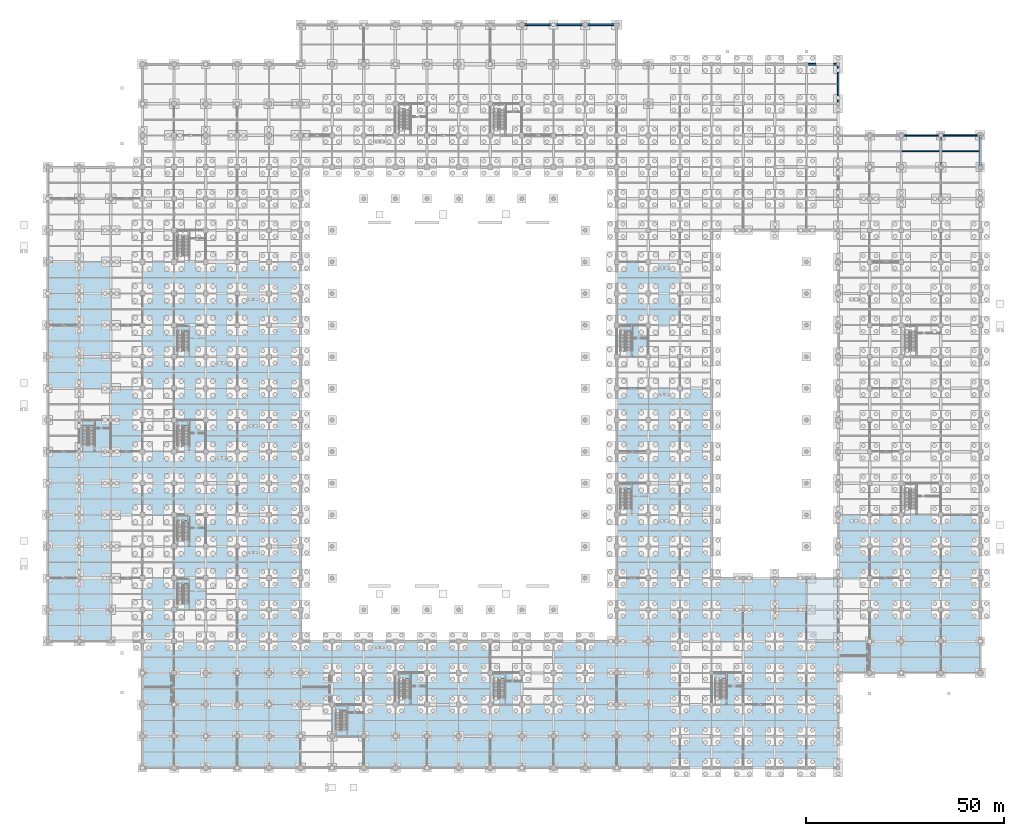
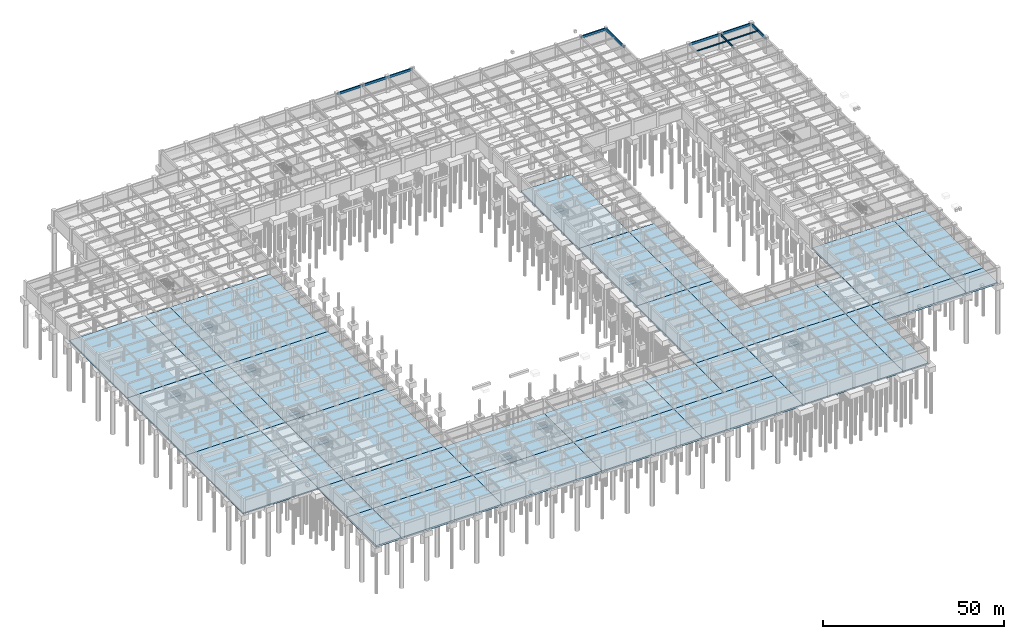
# One storey, part 65 of 97: 43 slabs, 11 beams, 11 elements without a shape of their own.
"""IFC4 building model written with IfcOpenShell, lengths in metres."""

from ifc_helpers import new_model, si_unit, direction, frame, origin, origin_2d, place, context, subcontext, project, spatial, polyline, rectangle, i_section, outline, extrude, material, layer, layer_set, material_profile, profile_set, type_object, element, aggregate, save


model = new_model("IFC4")

# Units and contexts
model_context = context("Model", 3, precision=1e-05, world=origin(), true_north=direction((0.0, 1.0)))
body_context = subcontext(model_context, "Body", "Model", "MODEL_VIEW")
ifc_project = project(units=[si_unit("LENGTHUNIT", "METRE"), si_unit("AREAUNIT", "SQUARE_METRE"), si_unit("VOLUMEUNIT", "CUBIC_METRE"), si_unit("PLANEANGLEUNIT", "RADIAN"), si_unit("MASSUNIT", "GRAM", prefix="KILO")], contexts=[model_context])

# Site, building, storey
site_placement = place(None, origin())
site = spatial("IfcSite", under=ifc_project, at=site_placement, CompositionType="ELEMENT")
building_placement = place(site_placement, origin())
building = spatial("IfcBuilding", under=site, at=building_placement, Name="Haebicheon Civic Stadium", CompositionType="ELEMENT")
storey_placement = place(building_placement, frame((0.0, 0.0, -5.39990234375)))
storey = spatial("IfcBuildingStorey", under=building, at=storey_placement, Name="B1", CompositionType="ELEMENT", Elevation=-5.39990234375)

# Beams
ifc_material_1 = material(Name="Steel SM490", Category="steel")
ifc_material_profile_1 = material_profile(ifc_material_1, i_section(OverallWidth=0.300048828125, OverallDepth=0.699951171875, WebThickness=0.012939453125, FlangeThickness=0.02392578125, at=origin_2d()), Name="H-700x300x13x24")
ifc_profile_set_1 = profile_set([ifc_material_profile_1], Name="Steel SM490")
beam_type_1 = type_object("IfcBeamType", Name="BM-ST-H700", PredefinedType="BEAM", material=ifc_profile_set_1)
beam_1_placement = place(storey_placement, frame((226.0, 152.0, 4.75), z_axis=(0.0, 1.0, 0.0), x_axis=(-1.0, 0.0, 0.0)))
element("IfcBeam", 1, at=beam_1_placement, inside=storey, type_object=beam_type_1, material=ifc_profile_set_1, Name="B1 girder 29/V-W", PredefinedType="BEAM", context=body_context, shape_type="SweptSolid", body=[
    extrude(i_section(OverallWidth=0.300048828125, OverallDepth=0.699951171875, WebThickness=0.012939453125, FlangeThickness=0.02392578125, at=origin_2d()), origin(), (0.0, 0.0, 1.0), 8.0),
])
ifc_material_2 = material(Name="Steel SM355 (S355)", Category="steel")
ifc_material_profile_2 = material_profile(ifc_material_2, i_section(OverallWidth=0.199951171875, OverallDepth=0.449951171875, WebThickness=0.009033203125, FlangeThickness=0.013916015625, at=origin_2d()), Name="H-450x200x9x14")
ifc_profile_set_2 = profile_set([ifc_material_profile_2], Name="Steel SM355 (S355)")
beam_type_2 = type_object("IfcBeamType", Name="JST-ST-H450", PredefinedType="JOIST", material=ifc_profile_set_2)
beam_2_placement = place(storey_placement, frame((216.14990234375, 156.0, 4.875), z_axis=(1.0, 0.0, 0.0), x_axis=(0.0, 1.0, 0.0)))
element("IfcBeam", 2, at=beam_2_placement, inside=storey, type_object=beam_type_2, material=ifc_profile_set_2, Name="B1 secondary joist 27-19", PredefinedType="JOIST", context=body_context, shape_type="SweptSolid", body=[
    extrude(i_section(OverallWidth=0.199951171875, OverallDepth=0.449951171875, WebThickness=0.009033203125, FlangeThickness=0.013916015625, at=origin_2d()), origin(), (0.0, 0.0, 1.0), 9.7001953125),
])
beam_3_placement = place(storey_placement, frame((226.14990234375, 156.0, 4.875), z_axis=(1.0, 0.0, 0.0), x_axis=(0.0, 1.0, 0.0)))
element("IfcBeam", 3, at=beam_3_placement, inside=storey, type_object=beam_type_2, material=ifc_profile_set_2, Name="B1 secondary joist 28-19", PredefinedType="JOIST", context=body_context, shape_type="SweptSolid", body=[
    extrude(i_section(OverallWidth=0.199951171875, OverallDepth=0.449951171875, WebThickness=0.009033203125, FlangeThickness=0.013916015625, at=origin_2d()), origin(), (0.0, 0.0, 1.0), 9.625),
])
ifc_material_3 = material(Name="Concrete C40/50", Category="concrete")
ifc_material_profile_3 = material_profile(ifc_material_3, rectangle(XDim=0.39990234375, YDim=0.75, at=origin_2d()), Name="RC-SP-400x750")
ifc_profile_set_3 = profile_set([ifc_material_profile_3], Name="Concrete C40/50")
beam_type_3 = type_object("IfcBeamType", Name="SPD-RC-400x750", PredefinedType="SPANDREL", material=ifc_profile_set_3)
for number, where, z_axis, x_axis, name in (
    (4, (120.0, 188.0, 4.724853515625), (1.0, 0.0, 0.0), (0.0, 1.0, 0.0), "B1 beam Z/16-17"),
    (5, (128.0, 188.0, 4.724853515625), (1.0, 0.0, 0.0), (0.0, 1.0, 0.0), "B1 beam Z/17-18"),
    (6, (136.0, 188.0, 4.724853515625), (1.0, 0.0, 0.0), (0.0, 1.0, 0.0), "B1 beam Z/18-19"),
    (7, (192.0, 178.0, 4.724853515625), (1.0, 0.0, 0.0), (0.0, 1.0, 0.0), "B1 beam Y/25-26"),
):
    element("IfcBeam", number, at=place(storey_placement, frame(where, z_axis=z_axis, x_axis=x_axis)), inside=storey, type_object=beam_type_3, material=ifc_profile_set_3, Name=name, PredefinedType="SPANDREL", context=body_context, shape_type="SweptSolid", body=[
        extrude(rectangle(XDim=0.39990234375, YDim=0.75, at=origin_2d()), origin(), (0.0, 0.0, 1.0), 8.0),
    ])
for number, where, z_axis, x_axis, name in (
    (8, (216.0, 160.0, 4.724853515625), (1.0, 0.0, 0.0), (0.0, 1.0, 0.0), "B1 beam W/28-29"),
    (9, (226.0, 160.0, 4.724853515625), (1.0, 0.0, 0.0), (0.0, 1.0, 0.0), "B1 beam W/29-30"),
):
    element("IfcBeam", number, at=place(storey_placement, frame(where, z_axis=z_axis, x_axis=x_axis)), inside=storey, type_object=beam_type_3, material=ifc_profile_set_3, Name=name, PredefinedType="SPANDREL", context=body_context, shape_type="SweptSolid", body=[
        extrude(rectangle(XDim=0.39990234375, YDim=0.75, at=origin_2d()), origin(), (0.0, 0.0, 1.0), 10.0),
    ])
ifc_material_4 = material(Name="Concrete C40/50", Category="concrete")
ifc_material_profile_4 = material_profile(ifc_material_4, rectangle(XDim=0.449951171875, YDim=0.85009765625, at=origin_2d()), Name="RC-SP-450x850")
ifc_profile_set_4 = profile_set([ifc_material_profile_4], Name="Concrete C40/50")
beam_type_4 = type_object("IfcBeamType", Name="SPD-RC-450x850", PredefinedType="SPANDREL", material=ifc_profile_set_4)
beam_4_placement = place(storey_placement, frame((200.0, 168.0, 4.6748046875), z_axis=(0.0, 1.0, 0.0), x_axis=(-1.0, 0.0, 0.0)))
element("IfcBeam", 10, at=beam_4_placement, inside=storey, type_object=beam_type_4, material=ifc_profile_set_4, Name="B1 girder 26/X-Y", PredefinedType="SPANDREL", context=body_context, shape_type="SweptSolid", body=[
    extrude(rectangle(XDim=0.449951171875, YDim=0.85009765625, at=origin_2d()), origin(), (0.0, 0.0, 1.0), 10.0),
])
beam_5_placement = place(storey_placement, frame((236.0, 152.0, 4.6748046875), z_axis=(0.0, 1.0, 0.0), x_axis=(-1.0, 0.0, 0.0)))
element("IfcBeam", 11, at=beam_5_placement, inside=storey, type_object=beam_type_4, material=ifc_profile_set_4, Name="B1 girder 30/V-W", PredefinedType="SPANDREL", context=body_context, shape_type="SweptSolid", body=[
    extrude(rectangle(XDim=0.449951171875, YDim=0.85009765625, at=origin_2d()), origin(), (0.0, 0.0, 1.0), 8.0),
])

# Slabs
ifc_material_5 = material(Name="Concrete C40/50", Category="concrete")
ifc_layer_1 = layer(ifc_material_5, 0.449951171875, Name="Concrete C40/50")
ifc_layer_set_1 = layer_set([ifc_layer_1], Name="Concrete C40/50")
slab_type_1 = type_object("IfcSlabType", Name="SLB-BASE-450", PredefinedType="BASESLAB", material=ifc_layer_set_1)
slab_1_placement = place(storey_placement, frame((0.0, 0.0, -0.4501953125)))
element("IfcSlab", 12, at=slab_1_placement, inside=storey, type_object=slab_type_1, material=ifc_layer_set_1, Name="B1 V5 structural slab 1.1", PredefinedType="BASESLAB", context=body_context, shape_type="SweptSolid", body=[
    extrude(outline(polyline([(0.0, 48.0), (0.0, 56.0), (0.0, 64.0), (8.0, 64.0), (16.0, 64.0), (24.0, 64.0), (24.0, 56.0), (24.0, 48.0), (24.0, 40.0), (24.0, 32.0), (16.0, 32.0), (8.0, 32.0), (0.0, 32.0), (0.0, 40.0), (0.0, 48.0)])), origin(), (0.0, 0.0, 1.0), 0.4501953125),
])
slab_2_placement = place(storey_placement, frame((0.0, 0.0, -0.4501953125)))
element("IfcSlab", 13, at=slab_2_placement, inside=storey, type_object=slab_type_1, material=ifc_layer_set_1, Name="B1 V5 structural slab 2.1", PredefinedType="BASESLAB", context=body_context, shape_type="SweptSolid", body=[
    extrude(outline(polyline([(0.0, 80.0), (0.0, 88.0), (0.0, 96.0), (8.0, 96.0), (16.0, 96.0), (24.0, 96.0), (24.0, 88.0), (24.0, 80.0), (24.0, 72.0), (24.0, 64.0), (16.0, 64.0), (8.0, 64.0), (0.0, 64.0), (0.0, 72.0), (0.0, 80.0)])), origin(), (0.0, 0.0, 1.0), 0.4501953125),
])
slab_3_placement = place(storey_placement, frame((0.0, 0.0, -0.4501953125)))
element("IfcSlab", 14, at=slab_3_placement, inside=storey, type_object=slab_type_1, material=ifc_layer_set_1, Name="B1 V5 structural slab 3.1", PredefinedType="BASESLAB", context=body_context, shape_type="SweptSolid", body=[
    extrude(outline(polyline([(0.0, 112.0), (0.0, 120.0), (0.0, 128.0), (8.0, 128.0), (16.0, 128.0), (24.0, 128.0), (24.0, 120.0), (24.0, 112.0), (24.0, 104.0), (24.0, 96.0), (16.0, 96.0), (8.0, 96.0), (0.0, 96.0), (0.0, 104.0), (0.0, 112.0)])), origin(), (0.0, 0.0, 1.0), 0.4501953125),
])
ifc_material_6 = material(Name="Concrete C40/50", Category="concrete")
ifc_layer_2 = layer(ifc_material_6, 0.5, Name="Concrete C40/50")
ifc_layer_set_2 = layer_set([ifc_layer_2], Name="Concrete C40/50")
slab_type_2 = type_object("IfcSlabType", Name="SLB-BASE-500", PredefinedType="BASESLAB", material=ifc_layer_set_2)
slab_4_placement = place(storey_placement, frame((0.0, 0.0, -0.5)))
element("IfcSlab", 15, at=slab_4_placement, inside=storey, type_object=slab_type_2, material=ifc_layer_set_2, Name="B1 V4 structural slab 1.1", PredefinedType="BASESLAB", context=body_context, shape_type="SweptSolid", body=[
    extrude(outline(polyline([(144.0, 24.0), (144.0, 32.0), (152.0, 32.0), (160.0, 32.0), (160.0, 24.0), (160.0, 16.0), (152.0, 16.0), (144.0, 16.0), (144.0, 24.0)])), origin(), (0.0, 0.0, 1.0), 0.5),
])
slab_5_placement = place(storey_placement, frame((0.0, 0.0, -0.5)))
element("IfcSlab", 16, at=slab_5_placement, inside=storey, type_object=slab_type_2, material=ifc_layer_set_2, Name="B1 V4 structural slab 4.1", PredefinedType="BASESLAB", context=body_context, shape_type="SweptSolid", body=[
    extrude(outline(polyline([(160.0, 24.0), (160.0, 32.0), (168.0, 32.0), (176.0, 32.0), (184.0, 32.0), (192.0, 32.0), (192.0, 24.0), (192.0, 16.0), (192.0, 8.0), (192.0, 0.0), (184.0, 0.0), (176.0, 0.0), (168.0, 0.0), (160.0, 0.0), (160.0, 8.0), (160.0, 16.0), (160.0, 24.0)])), origin(), (0.0, 0.0, 1.0), 0.5),
])
slab_6_placement = place(storey_placement, frame((0.0, 0.0, -0.5)))
element("IfcSlab", 17, at=slab_6_placement, inside=storey, type_object=slab_type_2, material=ifc_layer_set_2, Name="B1 V4 structural slab 5.1", PredefinedType="BASESLAB", context=body_context, shape_type="SweptSolid", body=[
    extrude(outline(polyline([(160.0, 48.0), (160.0, 56.0), (160.0, 64.0), (168.0, 64.0), (168.0, 56.0), (168.0, 48.0), (176.0, 48.0), (184.0, 48.0), (192.0, 48.0), (192.0, 40.0), (192.0, 32.0), (184.0, 32.0), (176.0, 32.0), (168.0, 32.0), (160.0, 32.0), (160.0, 40.0), (160.0, 48.0)])), origin(), (0.0, 0.0, 1.0), 0.5),
])
slab_7_placement = place(storey_placement, frame((0.0, 0.0, -0.5)))
element("IfcSlab", 18, at=slab_7_placement, inside=storey, type_object=slab_type_2, material=ifc_layer_set_2, Name="B1 V4 structural slab 6.1", PredefinedType="BASESLAB", context=body_context, shape_type="SweptSolid", body=[
    extrude(outline(polyline([(160.0, 64.0), (160.0, 72.0), (160.0, 80.0), (160.0, 88.0), (160.0, 96.0), (168.0, 96.0), (168.0, 88.0), (168.0, 80.0), (168.0, 72.0), (168.0, 64.0), (160.0, 64.0)])), origin(), (0.0, 0.0, 1.0), 0.5),
])
slab_8_placement = place(storey_placement, frame((0.0, 0.0, -0.5)))
element("IfcSlab", 19, at=slab_8_placement, inside=storey, type_object=slab_type_2, material=ifc_layer_set_2, Name="B1 V4 structural slab 10.1", PredefinedType="BASESLAB", context=body_context, shape_type="SweptSolid", body=[
    extrude(outline(polyline([(192.0, 0.0), (192.0, 8.0), (192.0, 16.0), (192.0, 24.0), (192.0, 32.0), (200.0, 32.0), (200.0, 24.0), (200.0, 16.0), (200.0, 8.0), (200.0, 0.0), (192.0, 0.0)])), origin(), (0.0, 0.0, 1.0), 0.5),
])
slab_9_placement = place(storey_placement, frame((0.0, 0.0, -0.5)))
element("IfcSlab", 20, at=slab_9_placement, inside=storey, type_object=slab_type_2, material=ifc_layer_set_2, Name="B1 V4 structural slab 11.1", PredefinedType="BASESLAB", context=body_context, shape_type="SweptSolid", body=[
    extrude(outline(polyline([(200.0, 32.0), (192.0, 32.0), (192.0, 40.0), (192.0, 48.0), (200.0, 48.0), (200.0, 40.0), (200.0, 32.0)])), origin(), (0.0, 0.0, 1.0), 0.5),
])
ifc_material_7 = material(Name="Concrete C40/50", Category="concrete")
ifc_layer_3 = layer(ifc_material_7, 0.60009765625, Name="Concrete C40/50")
ifc_layer_set_3 = layer_set([ifc_layer_3], Name="Concrete C40/50")
slab_type_3 = type_object("IfcSlabType", Name="SLB-BASE-600", PredefinedType="BASESLAB", material=ifc_layer_set_3)
slab_10_placement = place(storey_placement, frame((0.0, 0.0, -0.60009765625)))
element("IfcSlab", 21, at=slab_10_placement, inside=storey, type_object=slab_type_3, material=ifc_layer_set_3, Name="B1 V1 structural slab 1.1", PredefinedType="BASESLAB", context=body_context, shape_type="SweptSolid", body=[
    extrude(outline(polyline([(32.0, 16.0), (24.0, 16.0), (24.0, 24.0), (24.0, 32.0), (32.0, 32.0), (32.0, 24.0), (32.0, 16.0)])), origin(), (0.0, 0.0, 1.0), 0.60009765625),
])
slab_11_placement = place(storey_placement, frame((0.0, 0.0, -0.60009765625)))
element("IfcSlab", 22, at=slab_11_placement, inside=storey, type_object=slab_type_3, material=ifc_layer_set_3, Name="B1 V1 structural slab 2.1", PredefinedType="BASESLAB", context=body_context, shape_type="SweptSolid", body=[
    extrude(outline(polyline([(24.0, 32.0), (24.0, 40.0), (24.0, 48.0), (24.0, 56.0), (24.0, 64.0), (32.0, 64.0), (32.0, 56.0), (32.0, 48.0), (32.0, 40.0), (32.0, 32.0), (24.0, 32.0)])), origin(), (0.0, 0.0, 1.0), 0.60009765625),
])
slab_12_placement = place(storey_placement, frame((0.0, 0.0, -0.60009765625)))
element("IfcSlab", 23, at=slab_12_placement, inside=storey, type_object=slab_type_3, material=ifc_layer_set_3, Name="B1 V1 structural slab 3.1", PredefinedType="BASESLAB", context=body_context, shape_type="SweptSolid", body=[
    extrude(outline(polyline([(24.0, 64.0), (24.0, 72.0), (24.0, 80.0), (24.0, 88.0), (24.0, 96.0), (32.0, 96.0), (32.0, 88.0), (32.0, 80.0), (32.0, 72.0), (32.0, 64.0), (24.0, 64.0)])), origin(), (0.0, 0.0, 1.0), 0.60009765625),
])
slab_13_placement = place(storey_placement, frame((0.0, 0.0, -0.60009765625)))
element("IfcSlab", 24, at=slab_13_placement, inside=storey, type_object=slab_type_3, material=ifc_layer_set_3, Name="B1 V1 structural slab 4.1", PredefinedType="BASESLAB", context=body_context, shape_type="SweptSolid", body=[
    extrude(outline(polyline([(24.0, 96.0), (24.0, 104.0), (24.0, 112.0), (24.0, 120.0), (24.0, 128.0), (32.0, 128.0), (32.0, 120.0), (32.0, 112.0), (32.0, 104.0), (32.0, 96.0), (24.0, 96.0)])), origin(), (0.0, 0.0, 1.0), 0.60009765625),
])
slab_14_placement = place(storey_placement, frame((0.0, 0.0, -0.60009765625)))
element("IfcSlab", 25, at=slab_14_placement, inside=storey, type_object=slab_type_3, material=ifc_layer_set_3, Name="B1 V1 structural slab 7.1", PredefinedType="BASESLAB", context=body_context, shape_type="SweptSolid", body=[
    extrude(outline(polyline([(64.0, 16.0), (56.0, 16.0), (48.0, 16.0), (40.0, 16.0), (32.0, 16.0), (32.0, 24.0), (32.0, 32.0), (40.0, 32.0), (48.0, 32.0), (56.0, 32.0), (64.0, 32.0), (64.0, 24.0), (64.0, 16.0)])), origin(), (0.0, 0.0, 1.0), 0.60009765625),
])
slab_15_placement = place(storey_placement, frame((0.0, 0.0, -0.60009765625)))
element("IfcSlab", 26, at=slab_15_placement, inside=storey, type_object=slab_type_3, material=ifc_layer_set_3, Name="B1 V1 structural slab 8.1", PredefinedType="BASESLAB", context=body_context, shape_type="SweptSolid", body=[
    extrude(outline(polyline([(32.0, 56.0), (32.0, 64.0), (40.0, 64.0), (48.0, 64.0), (56.0, 64.0), (64.0, 64.0), (64.0, 56.0), (64.0, 48.0), (64.0, 40.0), (64.0, 32.0), (56.0, 32.0), (48.0, 32.0), (40.0, 32.0), (32.0, 32.0), (32.0, 40.0), (32.0, 48.0), (32.0, 56.0)])), origin(), (0.0, 0.0, 1.0), 0.60009765625),
])
slab_16_placement = place(storey_placement, frame((0.0, 0.0, -0.60009765625)))
element("IfcSlab", 27, at=slab_16_placement, inside=storey, type_object=slab_type_3, material=ifc_layer_set_3, Name="B1 V1 structural slab 9.1", PredefinedType="BASESLAB", context=body_context, shape_type="SweptSolid", body=[
    extrude(outline(polyline([(32.0, 88.0), (32.0, 96.0), (40.0, 96.0), (48.0, 96.0), (56.0, 96.0), (64.0, 96.0), (64.0, 88.0), (64.0, 80.0), (64.0, 72.0), (64.0, 64.0), (56.0, 64.0), (48.0, 64.0), (40.0, 64.0), (32.0, 64.0), (32.0, 72.0), (32.0, 80.0), (32.0, 88.0)])), origin(), (0.0, 0.0, 1.0), 0.60009765625),
])
slab_17_placement = place(storey_placement, frame((0.0, 0.0, -0.60009765625)))
element("IfcSlab", 28, at=slab_17_placement, inside=storey, type_object=slab_type_3, material=ifc_layer_set_3, Name="B1 V1 structural slab 10.1", PredefinedType="BASESLAB", context=body_context, shape_type="SweptSolid", body=[
    extrude(outline(polyline([(32.0, 120.0), (32.0, 128.0), (40.0, 128.0), (48.0, 128.0), (56.0, 128.0), (64.0, 128.0), (64.0, 120.0), (64.0, 112.0), (64.0, 104.0), (64.0, 96.0), (56.0, 96.0), (48.0, 96.0), (40.0, 96.0), (32.0, 96.0), (32.0, 104.0), (32.0, 112.0), (32.0, 120.0)])), origin(), (0.0, 0.0, 1.0), 0.60009765625),
])
slab_18_placement = place(storey_placement, frame((0.0, 0.0, -0.60009765625)))
element("IfcSlab", 29, at=slab_18_placement, inside=storey, type_object=slab_type_3, material=ifc_layer_set_3, Name="B1 V2 structural slab 1.1", PredefinedType="BASESLAB", context=body_context, shape_type="SweptSolid", body=[
    extrude(outline(polyline([(96.0, 16.0), (88.0, 16.0), (80.0, 16.0), (72.0, 16.0), (64.0, 16.0), (64.0, 24.0), (64.0, 32.0), (72.0, 32.0), (80.0, 32.0), (88.0, 32.0), (96.0, 32.0), (96.0, 24.0), (96.0, 16.0)])), origin(), (0.0, 0.0, 1.0), 0.60009765625),
])
slab_19_placement = place(storey_placement, frame((0.0, 0.0, -0.60009765625)))
element("IfcSlab", 30, at=slab_19_placement, inside=storey, type_object=slab_type_3, material=ifc_layer_set_3, Name="B1 V2 structural slab 4.1", PredefinedType="BASESLAB", context=body_context, shape_type="SweptSolid", body=[
    extrude(outline(polyline([(128.0, 16.0), (120.0, 16.0), (112.0, 16.0), (104.0, 16.0), (96.0, 16.0), (96.0, 24.0), (96.0, 32.0), (104.0, 32.0), (112.0, 32.0), (120.0, 32.0), (128.0, 32.0), (128.0, 24.0), (128.0, 16.0)])), origin(), (0.0, 0.0, 1.0), 0.60009765625),
])
slab_20_placement = place(storey_placement, frame((0.0, 0.0, -0.60009765625)))
element("IfcSlab", 31, at=slab_20_placement, inside=storey, type_object=slab_type_3, material=ifc_layer_set_3, Name="B1 V2 structural slab 7.1", PredefinedType="BASESLAB", context=body_context, shape_type="SweptSolid", body=[
    extrude(outline(polyline([(128.0, 24.0), (128.0, 32.0), (136.0, 32.0), (144.0, 32.0), (144.0, 24.0), (144.0, 16.0), (136.0, 16.0), (128.0, 16.0), (128.0, 24.0)])), origin(), (0.0, 0.0, 1.0), 0.60009765625),
])
slab_21_placement = place(storey_placement, frame((0.0, 0.0, -0.60009765625)))
element("IfcSlab", 32, at=slab_21_placement, inside=storey, type_object=slab_type_3, material=ifc_layer_set_3, Name="B1 V2 structural slab 8.1", PredefinedType="BASESLAB", context=body_context, shape_type="SweptSolid", body=[
    extrude(outline(polyline([(144.0, 48.0), (144.0, 56.0), (144.0, 64.0), (152.0, 64.0), (160.0, 64.0), (160.0, 56.0), (160.0, 48.0), (160.0, 40.0), (160.0, 32.0), (152.0, 32.0), (144.0, 32.0), (144.0, 40.0), (144.0, 48.0)])), origin(), (0.0, 0.0, 1.0), 0.60009765625),
])
slab_22_placement = place(storey_placement, frame((0.0, 0.0, -0.60009765625)))
element("IfcSlab", 33, at=slab_22_placement, inside=storey, type_object=slab_type_3, material=ifc_layer_set_3, Name="B1 V2 structural slab 9.1", PredefinedType="BASESLAB", context=body_context, shape_type="SweptSolid", body=[
    extrude(outline(polyline([(144.0, 80.0), (144.0, 88.0), (144.0, 96.0), (152.0, 96.0), (160.0, 96.0), (160.0, 88.0), (160.0, 80.0), (160.0, 72.0), (160.0, 64.0), (152.0, 64.0), (144.0, 64.0), (144.0, 72.0), (144.0, 80.0)])), origin(), (0.0, 0.0, 1.0), 0.60009765625),
])
slab_23_placement = place(storey_placement, frame((0.0, 0.0, -0.60009765625)))
element("IfcSlab", 34, at=slab_23_placement, inside=storey, type_object=slab_type_3, material=ifc_layer_set_3, Name="B1 V2 structural slab 10.1", PredefinedType="BASESLAB", context=body_context, shape_type="SweptSolid", body=[
    extrude(outline(polyline([(144.0, 112.0), (144.0, 120.0), (144.0, 128.0), (152.0, 128.0), (160.0, 128.0), (160.0, 120.0), (160.0, 112.0), (160.0, 104.0), (160.0, 96.0), (152.0, 96.0), (144.0, 96.0), (144.0, 104.0), (144.0, 112.0)])), origin(), (0.0, 0.0, 1.0), 0.60009765625),
])
slab_24_placement = place(storey_placement, frame((0.0, 0.0, -0.60009765625)))
element("IfcSlab", 35, at=slab_24_placement, inside=storey, type_object=slab_type_3, material=ifc_layer_set_3, Name="B1 V3 structural slab 1.1", PredefinedType="BASESLAB", context=body_context, shape_type="SweptSolid", body=[
    extrude(outline(polyline([(200.0, 24.0), (200.0, 32.0), (208.0, 32.0), (216.0, 32.0), (226.0, 32.0), (226.0, 24.0), (216.0, 24.0), (208.0, 24.0), (200.0, 24.0)])), origin(), (0.0, 0.0, 1.0), 0.60009765625),
])
slab_25_placement = place(storey_placement, frame((0.0, 0.0, -0.60009765625)))
element("IfcSlab", 36, at=slab_25_placement, inside=storey, type_object=slab_type_3, material=ifc_layer_set_3, Name="B1 V3 structural slab 2.1", PredefinedType="BASESLAB", context=body_context, shape_type="SweptSolid", body=[
    extrude(outline(polyline([(200.0, 48.0), (200.0, 56.0), (200.0, 64.0), (208.0, 64.0), (216.0, 64.0), (226.0, 64.0), (226.0, 56.0), (226.0, 48.0), (226.0, 40.0), (226.0, 32.0), (216.0, 32.0), (208.0, 32.0), (200.0, 32.0), (200.0, 40.0), (200.0, 48.0)])), origin(), (0.0, 0.0, 1.0), 0.60009765625),
])
slab_26_placement = place(storey_placement, frame((0.0, 0.0, -0.60009765625)))
element("IfcSlab", 37, at=slab_26_placement, inside=storey, type_object=slab_type_3, material=ifc_layer_set_3, Name="B1 V3 structural slab 6.1", PredefinedType="BASESLAB", context=body_context, shape_type="SweptSolid", body=[
    extrude(outline(polyline([(236.0, 24.0), (226.0, 24.0), (226.0, 32.0), (236.0, 32.0), (236.0, 24.0)])), origin(), (0.0, 0.0, 1.0), 0.60009765625),
])
slab_27_placement = place(storey_placement, frame((0.0, 0.0, -0.60009765625)))
element("IfcSlab", 38, at=slab_27_placement, inside=storey, type_object=slab_type_3, material=ifc_layer_set_3, Name="B1 V3 structural slab 7.1", PredefinedType="BASESLAB", context=body_context, shape_type="SweptSolid", body=[
    extrude(outline(polyline([(226.0, 32.0), (226.0, 40.0), (226.0, 48.0), (226.0, 56.0), (226.0, 64.0), (236.0, 64.0), (236.0, 56.0), (236.0, 48.0), (236.0, 40.0), (236.0, 32.0), (226.0, 32.0)])), origin(), (0.0, 0.0, 1.0), 0.60009765625),
])
slab_28_placement = place(storey_placement, frame((0.0, 0.0, -0.60009765625)))
element("IfcSlab", 39, at=slab_28_placement, inside=storey, type_object=slab_type_3, material=ifc_layer_set_3, Name="B1 V6 structural slab 1.1", PredefinedType="BASESLAB", context=body_context, shape_type="SweptSolid", body=[
    extrude(outline(polyline([(32.0, 0.0), (24.0, 0.0), (24.0, 8.0), (24.0, 16.0), (32.0, 16.0), (32.0, 8.0), (32.0, 0.0)])), origin(), (0.0, 0.0, 1.0), 0.60009765625),
])
slab_29_placement = place(storey_placement, frame((0.0, 0.0, -0.60009765625)))
element("IfcSlab", 40, at=slab_29_placement, inside=storey, type_object=slab_type_3, material=ifc_layer_set_3, Name="B1 V6 structural slab 2.1", PredefinedType="BASESLAB", context=body_context, shape_type="SweptSolid", body=[
    extrude(outline(polyline([(64.0, 0.0), (56.0, 0.0), (48.0, 0.0), (40.0, 0.0), (32.0, 0.0), (32.0, 8.0), (32.0, 16.0), (40.0, 16.0), (48.0, 16.0), (56.0, 16.0), (64.0, 16.0), (64.0, 8.0), (64.0, 0.0)])), origin(), (0.0, 0.0, 1.0), 0.60009765625),
])
slab_30_placement = place(storey_placement, frame((0.0, 0.0, -0.60009765625)))
element("IfcSlab", 41, at=slab_30_placement, inside=storey, type_object=slab_type_3, material=ifc_layer_set_3, Name="B1 V6 structural slab 3.1", PredefinedType="BASESLAB", context=body_context, shape_type="SweptSolid", body=[
    extrude(outline(polyline([(96.0, 0.0), (88.0, 0.0), (80.0, 0.0), (72.0, 0.0), (64.0, 0.0), (64.0, 8.0), (64.0, 16.0), (72.0, 16.0), (80.0, 16.0), (88.0, 16.0), (96.0, 16.0), (96.0, 8.0), (96.0, 0.0)])), origin(), (0.0, 0.0, 1.0), 0.60009765625),
])
slab_31_placement = place(storey_placement, frame((0.0, 0.0, -0.60009765625)))
element("IfcSlab", 42, at=slab_31_placement, inside=storey, type_object=slab_type_3, material=ifc_layer_set_3, Name="B1 V6 structural slab 4.1", PredefinedType="BASESLAB", context=body_context, shape_type="SweptSolid", body=[
    extrude(outline(polyline([(128.0, 0.0), (120.0, 0.0), (112.0, 0.0), (104.0, 0.0), (96.0, 0.0), (96.0, 8.0), (96.0, 16.0), (104.0, 16.0), (112.0, 16.0), (120.0, 16.0), (128.0, 16.0), (128.0, 8.0), (128.0, 0.0)])), origin(), (0.0, 0.0, 1.0), 0.60009765625),
])
slab_32_placement = place(storey_placement, frame((0.0, 0.0, -0.60009765625)))
element("IfcSlab", 43, at=slab_32_placement, inside=storey, type_object=slab_type_3, material=ifc_layer_set_3, Name="B1 V6 structural slab 5.1", PredefinedType="BASESLAB", context=body_context, shape_type="SweptSolid", body=[
    extrude(outline(polyline([(160.0, 0.0), (152.0, 0.0), (144.0, 0.0), (136.0, 0.0), (128.0, 0.0), (128.0, 8.0), (128.0, 16.0), (136.0, 16.0), (144.0, 16.0), (152.0, 16.0), (160.0, 16.0), (160.0, 8.0), (160.0, 0.0)])), origin(), (0.0, 0.0, 1.0), 0.60009765625),
])

# Stair, slab
ifc_material_8 = material(Name="Concrete C40/50", Category="concrete")
stair_type_1 = type_object("IfcStairType", Name="STR-DL-W126-H54", PredefinedType="HALF_TURN_STAIR", material=ifc_material_8)
stair_1_placement = place(storey_placement, origin())
stair_1 = element("IfcStair", 44, at=stair_1_placement, inside=storey, type_object=stair_type_1, material=ifc_material_8, Name="B1 Escape stair ST-01", PredefinedType="HALF_TURN_STAIR")
ifc_material_9 = material(Name="Concrete C40/50", Category="concrete")
ifc_layer_4 = layer(ifc_material_9, 0.199951171875, Name="Concrete C40/50")
ifc_layer_set_4 = layer_set([ifc_layer_4], Name="Concrete C40/50")
slab_type_4 = type_object("IfcSlabType", Name="SLB-LND-200", PredefinedType="LANDING", material=ifc_layer_set_4)
slab_33_placement = place(storey_placement, frame((0.0, 0.0, 2.5)))
slab_33 = element("IfcSlab", 45, at=slab_33_placement, type_object=slab_type_4, material=ifc_layer_set_4, Name="ST-01 landing 1", PredefinedType="LANDING", context=body_context, shape_type="SweptSolid", body=[
    extrude(outline(polyline([(35.739990234375, 46.550048828125), (35.739990234375, 47.840087890625), (32.840087890625, 47.840087890625), (32.840087890625, 46.550048828125), (35.739990234375, 46.550048828125)])), origin(), (0.0, 0.0, 1.0), 0.199951171875),
])
aggregate(stair_1, [slab_33])

ifc_material_10 = material(Name="Concrete C40/50", Category="concrete")
stair_type_2 = type_object("IfcStairType", Name="STR-DL-W128-H54", PredefinedType="HALF_TURN_STAIR", material=ifc_material_10)
stair_2_placement = place(storey_placement, origin())
stair_2 = element("IfcStair", 46, at=stair_2_placement, inside=storey, type_object=stair_type_2, material=ifc_material_10, Name="B1 Escape stair ST-02", PredefinedType="HALF_TURN_STAIR")
slab_34_placement = place(storey_placement, frame((0.0, 0.0, 2.5)))
slab_34 = element("IfcSlab", 47, at=slab_34_placement, type_object=slab_type_4, material=ifc_layer_set_4, Name="ST-02 landing 1", PredefinedType="LANDING", context=body_context, shape_type="SweptSolid", body=[
    extrude(outline(polyline([(35.739990234375, 62.550048828125), (35.739990234375, 63.840087890625), (32.840087890625, 63.840087890625), (32.840087890625, 62.550048828125), (35.739990234375, 62.550048828125)])), origin(), (0.0, 0.0, 1.0), 0.199951171875),
])
aggregate(stair_2, [slab_34])

stair_3_placement = place(storey_placement, origin())
stair_3 = element("IfcStair", 48, at=stair_3_placement, inside=storey, type_object=stair_type_1, material=ifc_material_8, Name="B1 Escape stair ST-03", PredefinedType="HALF_TURN_STAIR")
slab_35_placement = place(storey_placement, frame((0.0, 0.0, 2.5)))
slab_35 = element("IfcSlab", 49, at=slab_35_placement, type_object=slab_type_4, material=ifc_layer_set_4, Name="ST-03 landing 1", PredefinedType="LANDING", context=body_context, shape_type="SweptSolid", body=[
    extrude(outline(polyline([(35.739990234375, 86.550048828125), (35.739990234375, 87.840087890625), (32.840087890625, 87.840087890625), (32.840087890625, 86.550048828125), (35.739990234375, 86.550048828125)])), origin(), (0.0, 0.0, 1.0), 0.199951171875),
])
aggregate(stair_3, [slab_35])

stair_4_placement = place(storey_placement, origin())
stair_4 = element("IfcStair", 50, at=stair_4_placement, inside=storey, type_object=stair_type_2, material=ifc_material_10, Name="B1 Escape stair ST-04", PredefinedType="HALF_TURN_STAIR")
slab_36_placement = place(storey_placement, frame((0.0, 0.0, 2.5)))
slab_36 = element("IfcSlab", 51, at=slab_36_placement, type_object=slab_type_4, material=ifc_layer_set_4, Name="ST-04 landing 1", PredefinedType="LANDING", context=body_context, shape_type="SweptSolid", body=[
    extrude(outline(polyline([(35.739990234375, 110.550048828125), (35.739990234375, 111.840087890625), (32.840087890625, 111.840087890625), (32.840087890625, 110.550048828125), (35.739990234375, 110.550048828125)])), origin(), (0.0, 0.0, 1.0), 0.199951171875),
])
aggregate(stair_4, [slab_36])

stair_5_placement = place(storey_placement, origin())
stair_5 = element("IfcStair", 52, at=stair_5_placement, inside=storey, type_object=stair_type_2, material=ifc_material_10, Name="B1 Escape stair ST-06", PredefinedType="HALF_TURN_STAIR")
slab_37_placement = place(storey_placement, frame((0.0, 0.0, 2.5)))
slab_37 = element("IfcSlab", 53, at=slab_37_placement, type_object=slab_type_4, material=ifc_layer_set_4, Name="ST-06 landing 1", PredefinedType="LANDING", context=body_context, shape_type="SweptSolid", body=[
    extrude(outline(polyline([(91.739990234375, 22.550048828125), (91.739990234375, 23.840087890625), (88.840087890625, 23.840087890625), (88.840087890625, 22.550048828125), (91.739990234375, 22.550048828125)])), origin(), (0.0, 0.0, 1.0), 0.199951171875),
])
aggregate(stair_5, [slab_37])

stair_6_placement = place(storey_placement, origin())
stair_6 = element("IfcStair", 54, at=stair_6_placement, inside=storey, type_object=stair_type_1, material=ifc_material_8, Name="B1 Escape stair ST-07", PredefinedType="HALF_TURN_STAIR")
slab_38_placement = place(storey_placement, frame((0.0, 0.0, 2.5)))
slab_38 = element("IfcSlab", 55, at=slab_38_placement, type_object=slab_type_4, material=ifc_layer_set_4, Name="ST-07 landing 1", PredefinedType="LANDING", context=body_context, shape_type="SweptSolid", body=[
    extrude(outline(polyline([(115.739990234375, 22.550048828125), (115.739990234375, 23.840087890625), (112.840087890625, 23.840087890625), (112.840087890625, 22.550048828125), (115.739990234375, 22.550048828125)])), origin(), (0.0, 0.0, 1.0), 0.199951171875),
])
aggregate(stair_6, [slab_38])

stair_7_placement = place(storey_placement, origin())
stair_7 = element("IfcStair", 56, at=stair_7_placement, inside=storey, type_object=stair_type_2, material=ifc_material_10, Name="B1 Escape stair ST-10", PredefinedType="HALF_TURN_STAIR")
slab_39_placement = place(storey_placement, frame((0.0, 0.0, 2.5)))
slab_39 = element("IfcSlab", 57, at=slab_39_placement, type_object=slab_type_4, material=ifc_layer_set_4, Name="ST-10 landing 1", PredefinedType="LANDING", context=body_context, shape_type="SweptSolid", body=[
    extrude(outline(polyline([(147.739990234375, 70.550048828125), (147.739990234375, 71.840087890625), (144.840087890625, 71.840087890625), (144.840087890625, 70.550048828125), (147.739990234375, 70.550048828125)])), origin(), (0.0, 0.0, 1.0), 0.199951171875),
])
aggregate(stair_7, [slab_39])

stair_8_placement = place(storey_placement, origin())
stair_8 = element("IfcStair", 58, at=stair_8_placement, inside=storey, type_object=stair_type_1, material=ifc_material_8, Name="B1 Escape stair ST-11", PredefinedType="HALF_TURN_STAIR")
slab_40_placement = place(storey_placement, frame((0.0, 0.0, 2.5)))
slab_40 = element("IfcSlab", 59, at=slab_40_placement, type_object=slab_type_4, material=ifc_layer_set_4, Name="ST-11 landing 1", PredefinedType="LANDING", context=body_context, shape_type="SweptSolid", body=[
    extrude(outline(polyline([(147.739990234375, 110.550048828125), (147.739990234375, 111.840087890625), (144.840087890625, 111.840087890625), (144.840087890625, 110.550048828125), (147.739990234375, 110.550048828125)])), origin(), (0.0, 0.0, 1.0), 0.199951171875),
])
aggregate(stair_8, [slab_40])

stair_9_placement = place(storey_placement, origin())
stair_9 = element("IfcStair", 60, at=stair_9_placement, inside=storey, type_object=stair_type_2, material=ifc_material_10, Name="B1 Escape stair ST-14", PredefinedType="HALF_TURN_STAIR")
slab_41_placement = place(storey_placement, frame((0.0, 0.0, 2.5)))
slab_41 = element("IfcSlab", 61, at=slab_41_placement, type_object=slab_type_4, material=ifc_layer_set_4, Name="ST-14 landing 1", PredefinedType="LANDING", context=body_context, shape_type="SweptSolid", body=[
    extrude(outline(polyline([(171.739990234375, 22.550048828125), (171.739990234375, 23.840087890625), (168.840087890625, 23.840087890625), (168.840087890625, 22.550048828125), (171.739990234375, 22.550048828125)])), origin(), (0.0, 0.0, 1.0), 0.199951171875),
])
aggregate(stair_9, [slab_41])

stair_10_placement = place(storey_placement, origin())
stair_10 = element("IfcStair", 62, at=stair_10_placement, inside=storey, type_object=stair_type_1, material=ifc_material_8, Name="B1 Escape stair ST-15", PredefinedType="HALF_TURN_STAIR")
slab_42_placement = place(storey_placement, frame((0.0, 0.0, 2.5)))
slab_42 = element("IfcSlab", 63, at=slab_42_placement, type_object=slab_type_4, material=ifc_layer_set_4, Name="ST-15 landing 1", PredefinedType="LANDING", context=body_context, shape_type="SweptSolid", body=[
    extrude(outline(polyline([(11.739990234375, 86.550048828125), (11.739990234375, 87.840087890625), (8.840087890625, 87.840087890625), (8.840087890625, 86.550048828125), (11.739990234375, 86.550048828125)])), origin(), (0.0, 0.0, 1.0), 0.199951171875),
])
aggregate(stair_10, [slab_42])

stair_11_placement = place(storey_placement, origin())
stair_11 = element("IfcStair", 64, at=stair_11_placement, inside=storey, type_object=stair_type_2, material=ifc_material_10, Name="B1 Escape stair ST-16", PredefinedType="HALF_TURN_STAIR")
slab_43_placement = place(storey_placement, frame((0.0, 0.0, 2.5)))
slab_43 = element("IfcSlab", 65, at=slab_43_placement, type_object=slab_type_4, material=ifc_layer_set_4, Name="ST-16 landing 1", PredefinedType="LANDING", context=body_context, shape_type="SweptSolid", body=[
    extrude(outline(polyline([(75.739990234375, 14.550048828125), (75.739990234375, 15.840087890625), (72.840087890625, 15.840087890625), (72.840087890625, 14.550048828125), (75.739990234375, 14.550048828125)])), origin(), (0.0, 0.0, 1.0), 0.199951171875),
])
aggregate(stair_11, [slab_43])

save(model, "model.ifc")
